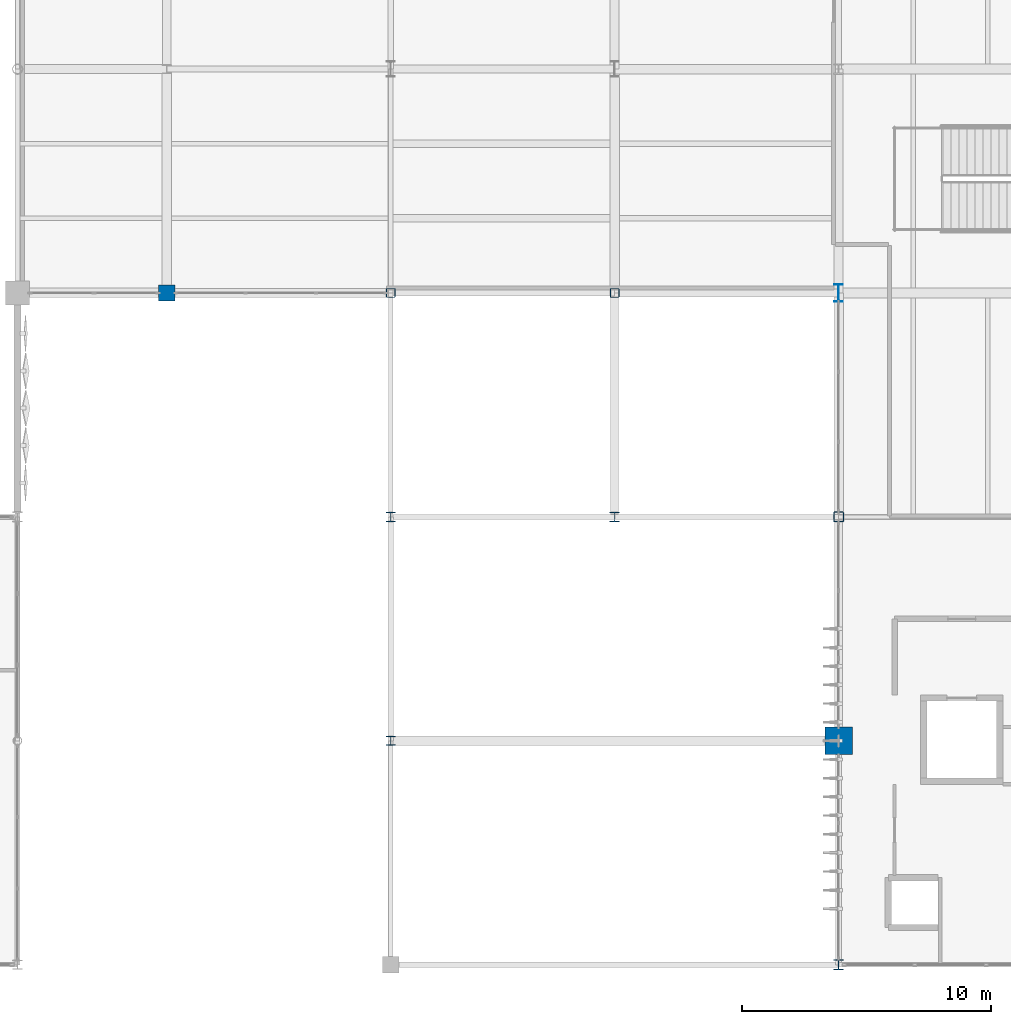
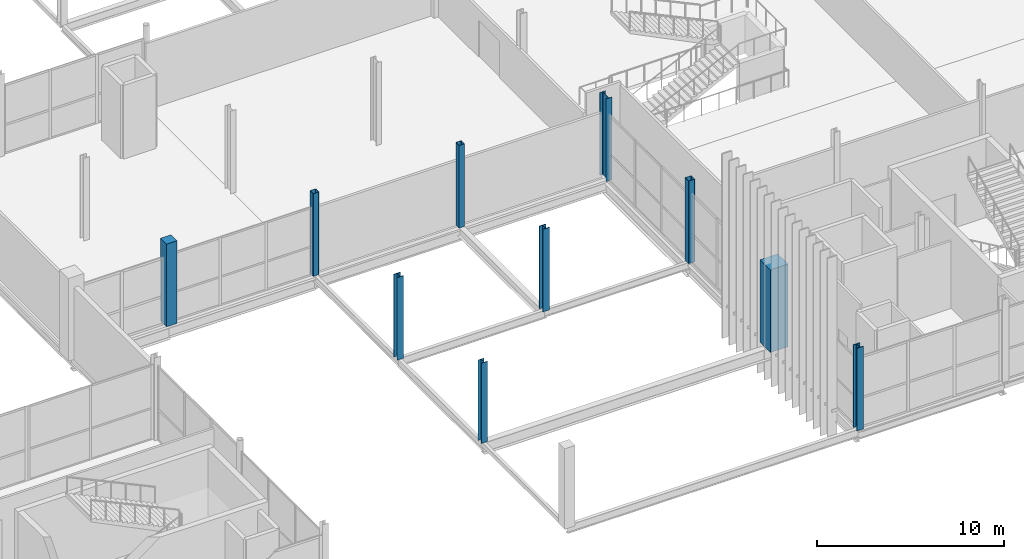
# One storey, part 11 of 119: 10 columns.
"""IFC4 building model written with IfcOpenShell, lengths in metres."""

from ifc_helpers import new_model, si_unit, direction, frame, origin, origin_2d, place, context, subcontext, project, spatial, rectangle, hollow_rectangle, i_section, extrude, material, material_profile, profile_set, type_object, element, save


model = new_model("IFC4")

# Units and contexts
model_context = context("Model", 3, precision=1e-05, world=origin(), true_north=direction((0.0, 1.0)))
body_context = subcontext(model_context, "Body", "Model", "MODEL_VIEW")
ifc_project = project(units=[si_unit("LENGTHUNIT", "METRE"), si_unit("AREAUNIT", "SQUARE_METRE"), si_unit("VOLUMEUNIT", "CUBIC_METRE"), si_unit("PLANEANGLEUNIT", "RADIAN"), si_unit("MASSUNIT", "GRAM", prefix="KILO")], contexts=[model_context])

# Site, building, storey
site_placement = place(None, origin())
site = spatial("IfcSite", under=ifc_project, at=site_placement, CompositionType="ELEMENT")
building_placement = place(site_placement, origin())
building = spatial("IfcBuilding", under=site, at=building_placement, Name="Qamarlyn Nura Convention Centre", CompositionType="ELEMENT")
storey_placement = place(building_placement, frame((0.0, 0.0, 5.39990234375)))
storey = spatial("IfcBuildingStorey", under=building, at=storey_placement, Name="L01", CompositionType="ELEMENT", Elevation=5.39990234375)

# Columns
ifc_material_1 = material(Name="Steel ASTM A500 Grade C", Category="steel")
ifc_material_profile_1 = material_profile(ifc_material_1, hollow_rectangle(XDim=0.39990234375, YDim=0.39990234375, WallThickness=0.01611328125, InnerFilletRadius=0.01611328125, OuterFilletRadius=0.031982421875, at=origin_2d()), Name="HSS400X400X16")
ifc_profile_set_1 = profile_set([ifc_material_profile_1], Name="Steel ASTM A500 Grade C")
column_type_1 = type_object("IfcColumnType", Name="COL-HSS-1", PredefinedType="COLUMN", material=ifc_profile_set_1)
column_1_placement = place(storey_placement, frame((153.0, 18.0, 0.0), z_axis=(0.0, 0.0, 1.0), x_axis=(1.0, 0.0, 0.0)))
element("IfcColumn", 1, at=column_1_placement, inside=storey, type_object=column_type_1, Name="L01 column 13/C", PredefinedType="COLUMN", context=body_context, shape_type="SweptSolid", body=[
    extrude(hollow_rectangle(XDim=0.39990234375, YDim=0.39990234375, WallThickness=0.01611328125, InnerFilletRadius=0.01611328125, OuterFilletRadius=0.031982421875, at=origin_2d()), origin(), (0.0, 0.0, 1.0), 5.400146484375),
])
ifc_material_profile_2 = material_profile(ifc_material_1, hollow_rectangle(XDim=0.35009765625, YDim=0.35009765625, WallThickness=0.012451171875, InnerFilletRadius=0.012451171875, OuterFilletRadius=0.02490234375, at=origin_2d()), Name="HSS350X350X12.5")
ifc_profile_set_2 = profile_set([ifc_material_profile_2], Name="Steel ASTM A500 Grade C")
column_type_2 = type_object("IfcColumnType", Name="COL-HSS-2", PredefinedType="COLUMN", material=ifc_profile_set_2)
for number, where, z_axis, x_axis, name in (
    (2, (135.0, 27.0, 0.0), (0.0, 0.0, 1.0), (1.0, 0.0, 0.0), "L01 column 11/D"),
    (3, (144.0, 27.0, 0.0), (0.0, 0.0, 1.0), (1.0, 0.0, 0.0), "L01 column 12/D"),
):
    element("IfcColumn", number, at=place(storey_placement, frame(where, z_axis=z_axis, x_axis=x_axis)), inside=storey, type_object=column_type_2, Name=name, PredefinedType="COLUMN", context=body_context, shape_type="SweptSolid", body=[
        extrude(hollow_rectangle(XDim=0.35009765625, YDim=0.35009765625, WallThickness=0.012451171875, InnerFilletRadius=0.012451171875, OuterFilletRadius=0.02490234375, at=origin_2d()), origin(), (0.0, 0.0, 1.0), 5.400146484375),
    ])
ifc_material_2 = material(Name="Steel ASTM A992", Category="steel")
ifc_material_profile_3 = material_profile(ifc_material_2, i_section(OverallWidth=0.408935546875, OverallDepth=0.425048828125, WebThickness=0.030517578125, FlangeThickness=0.049072265625, FilletRadius=0.02001953125, at=origin_2d()), Name="W360X421")
ifc_profile_set_3 = profile_set([ifc_material_profile_3], Name="Steel ASTM A992")
column_type_3 = type_object("IfcColumnType", Name="COL-MEGA-1", PredefinedType="COLUMN", material=ifc_profile_set_3)
column_2_placement = place(storey_placement, frame((153.0, 0.0, 0.0), z_axis=(0.0, 0.0, 1.0), x_axis=(1.0, 0.0, 0.0)))
element("IfcColumn", 4, at=column_2_placement, inside=storey, type_object=column_type_3, Name="L01 column 13/A", PredefinedType="COLUMN", context=body_context, shape_type="SweptSolid", body=[
    extrude(i_section(OverallWidth=0.408935546875, OverallDepth=0.425048828125, WebThickness=0.030517578125, FlangeThickness=0.049072265625, FilletRadius=0.02001953125, at=origin_2d()), origin(), (0.0, 0.0, 1.0), 5.400146484375),
])
ifc_material_3 = material(Name="Concrete C50/60", Category="concrete")
ifc_material_profile_4 = material_profile(ifc_material_3, rectangle(XDim=1.10009765625, YDim=1.10009765625, at=origin_2d()), Name="RC 1100x1100")
ifc_profile_set_4 = profile_set([ifc_material_profile_4], Name="Concrete C50/60")
column_type_4 = type_object("IfcColumnType", Name="COL-MEGA-2", PredefinedType="COLUMN", material=ifc_profile_set_4)
column_3_placement = place(storey_placement, frame((153.0, 9.0, 0.0), z_axis=(0.0, 0.0, 1.0), x_axis=(1.0, 0.0, 0.0)))
element("IfcColumn", 5, at=column_3_placement, inside=storey, type_object=column_type_4, Name="L01 column 13/B", PredefinedType="COLUMN", context=body_context, shape_type="SweptSolid", body=[
    extrude(rectangle(XDim=1.10009765625, YDim=1.10009765625, at=origin_2d()), origin(), (0.0, 0.0, 1.0), 5.400146484375),
])
ifc_material_profile_5 = material_profile(ifc_material_3, rectangle(XDim=0.64990234375, YDim=0.64990234375, at=origin_2d()), Name="RC 650x650")
ifc_profile_set_5 = profile_set([ifc_material_profile_5], Name="Concrete C50/60")
column_type_5 = type_object("IfcColumnType", Name="COL-SUB-3", PredefinedType="COLUMN", material=ifc_profile_set_5)
column_4_placement = place(storey_placement, frame((126.0, 27.0, 0.0), z_axis=(0.0, 0.0, 1.0), x_axis=(1.0, 0.0, 0.0)))
element("IfcColumn", 6, at=column_4_placement, inside=storey, type_object=column_type_5, Name="L01 column 10/D", PredefinedType="COLUMN", context=body_context, shape_type="SweptSolid", body=[
    extrude(rectangle(XDim=0.64990234375, YDim=0.64990234375, at=origin_2d()), origin(), (0.0, 0.0, 1.0), 5.400146484375),
])
ifc_material_profile_6 = material_profile(ifc_material_2, i_section(OverallWidth=0.39892578125, OverallDepth=0.39306640625, WebThickness=0.022705078125, FlangeThickness=0.03662109375, FilletRadius=0.01806640625, at=origin_2d()), Name="W360X287")
ifc_profile_set_6 = profile_set([ifc_material_profile_6], Name="Steel ASTM A992")
column_type_6 = type_object("IfcColumnType", Name="COL-WING-1", PredefinedType="COLUMN", material=ifc_profile_set_6)
for number, where, z_axis, x_axis, name in (
    (7, (135.0, 18.0, 0.0), (0.0, 0.0, 1.0), (1.0, 0.0, 0.0), "L01 column 11/C"),
    (8, (144.0, 18.0, 0.0), (0.0, 0.0, 1.0), (1.0, 0.0, 0.0), "L01 column 12/C"),
):
    element("IfcColumn", number, at=place(storey_placement, frame(where, z_axis=z_axis, x_axis=x_axis)), inside=storey, type_object=column_type_6, Name=name, PredefinedType="COLUMN", context=body_context, shape_type="SweptSolid", body=[
        extrude(i_section(OverallWidth=0.39892578125, OverallDepth=0.39306640625, WebThickness=0.022705078125, FlangeThickness=0.03662109375, FilletRadius=0.01806640625, at=origin_2d()), origin(), (0.0, 0.0, 1.0), 5.400146484375),
    ])
ifc_material_profile_7 = material_profile(ifc_material_2, i_section(OverallWidth=0.368896484375, OverallDepth=0.35595703125, WebThickness=0.01123046875, FlangeThickness=0.01806640625, FilletRadius=0.014892578125, at=origin_2d()), Name="W360X134")
ifc_profile_set_7 = profile_set([ifc_material_profile_7], Name="Steel ASTM A992")
column_type_7 = type_object("IfcColumnType", Name="COL-WING-3", PredefinedType="COLUMN", material=ifc_profile_set_7)
column_5_placement = place(storey_placement, frame((135.0, 9.0, 0.0), z_axis=(0.0, 0.0, 1.0), x_axis=(1.0, 0.0, 0.0)))
element("IfcColumn", 9, at=column_5_placement, inside=storey, type_object=column_type_7, Name="L01 column 11/B", PredefinedType="COLUMN", context=body_context, shape_type="SweptSolid", body=[
    extrude(i_section(OverallWidth=0.368896484375, OverallDepth=0.35595703125, WebThickness=0.01123046875, FlangeThickness=0.01806640625, FilletRadius=0.014892578125, at=origin_2d()), origin(), (0.0, 0.0, 1.0), 5.255126953125),
])
ifc_material_profile_8 = material_profile(ifc_material_2, i_section(OverallWidth=0.35498046875, OverallDepth=0.695068359375, WebThickness=0.015380859375, FlangeThickness=0.02490234375, FilletRadius=0.01806640625, at=origin_2d()), Name="W690X217")
ifc_profile_set_8 = profile_set([ifc_material_profile_8], Name="Steel ASTM A992")
column_type_8 = type_object("IfcColumnType", Name="COL-WING-5", PredefinedType="COLUMN", material=ifc_profile_set_8)
column_6_placement = place(storey_placement, frame((153.0, 27.0, 0.0), z_axis=(0.0, 0.0, 1.0), x_axis=(1.0, 0.0, 0.0)))
element("IfcColumn", 10, at=column_6_placement, inside=storey, type_object=column_type_8, Name="L01 column 13/D", PredefinedType="COLUMN", context=body_context, shape_type="SweptSolid", body=[
    extrude(i_section(OverallWidth=0.35498046875, OverallDepth=0.695068359375, WebThickness=0.015380859375, FlangeThickness=0.02490234375, FilletRadius=0.01806640625, at=origin_2d()), origin(), (0.0, 0.0, 1.0), 5.400146484375),
])

save(model, "model.ifc")
